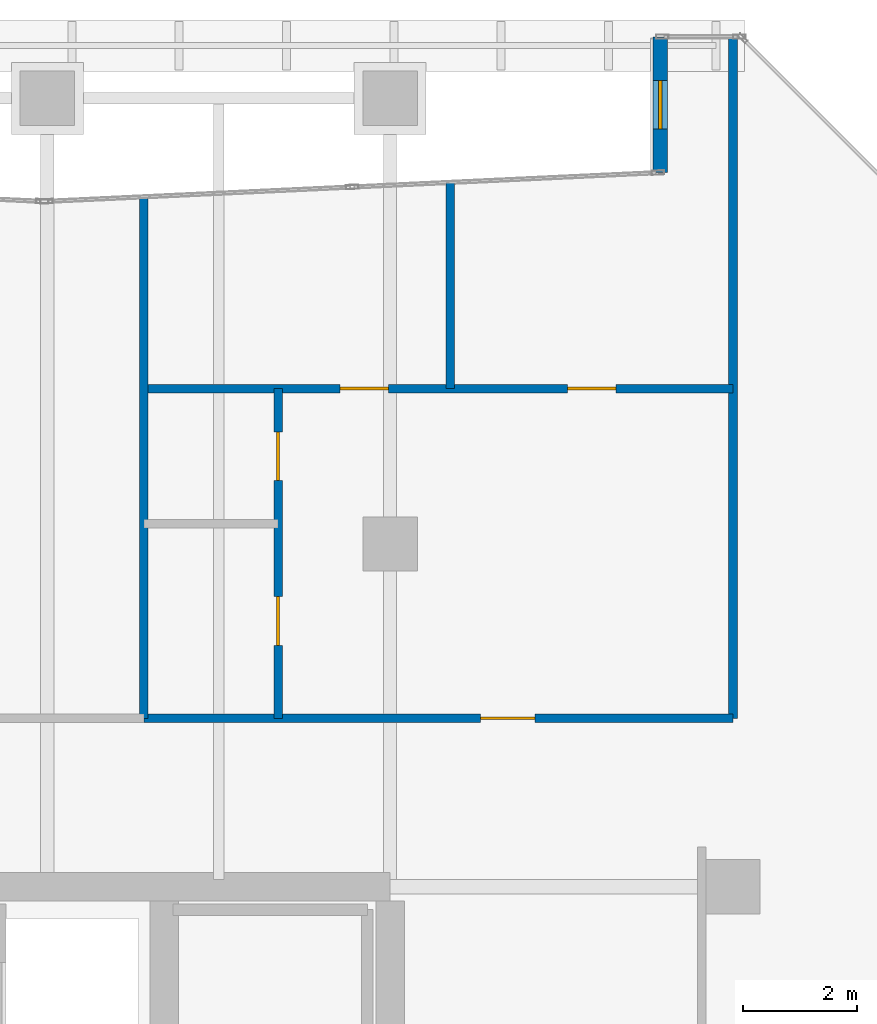
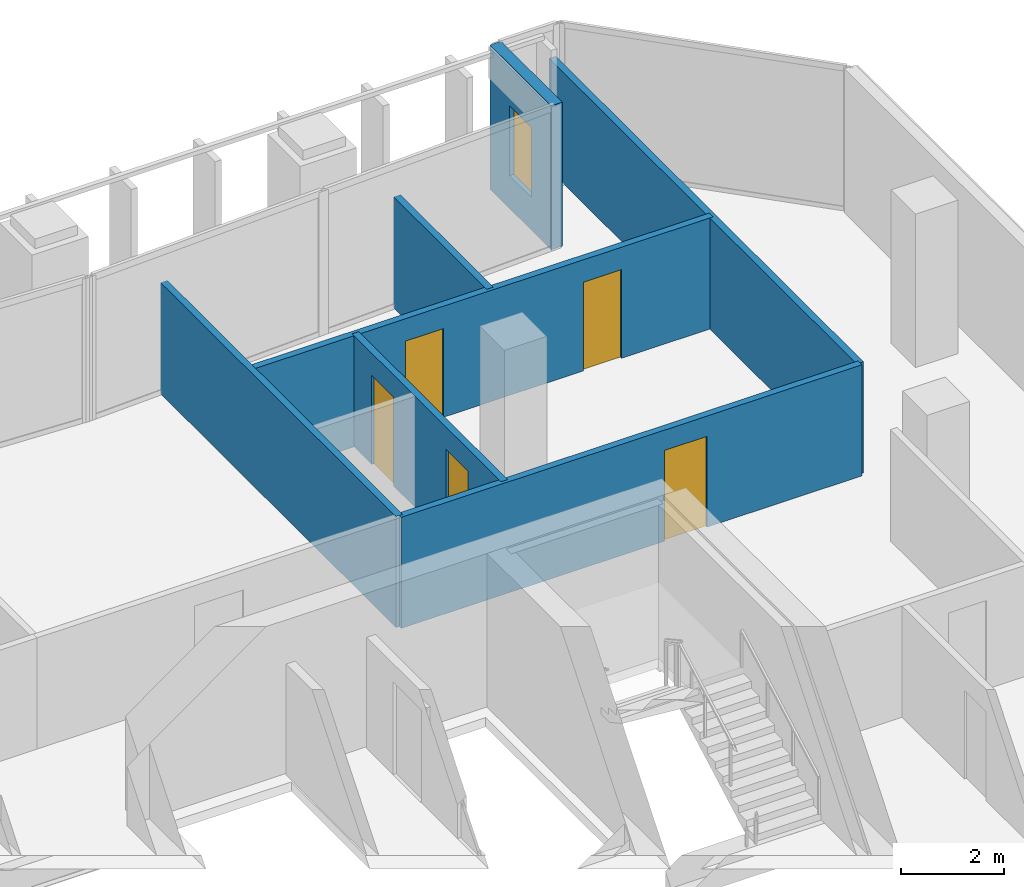
# One storey, part 32 of 39: 7 walls, 5 doors, 1 window, 6 openings.
"""IFC4 building model written with IfcOpenShell, lengths in metres."""

from ifc_helpers import new_model, si_unit, direction, frame, frame_2d, origin, place, context, subcontext, project, spatial, rectangle, extrude, material, layer, layer_set, type_object, element, fill, save


model = new_model("IFC4")

# Units and contexts
model_context = context("Model", 3, precision=1e-05, world=origin(), true_north=direction((0.0, 1.0)))
body_context = subcontext(model_context, "Body", "Model", "MODEL_VIEW")
ifc_project = project(units=[si_unit("LENGTHUNIT", "METRE"), si_unit("AREAUNIT", "SQUARE_METRE"), si_unit("VOLUMEUNIT", "CUBIC_METRE"), si_unit("PLANEANGLEUNIT", "RADIAN"), si_unit("MASSUNIT", "GRAM", prefix="KILO")], contexts=[model_context])

# Site, building, storey
site_placement = place(None, origin())
site = spatial("IfcSite", under=ifc_project, at=site_placement, CompositionType="ELEMENT")
building_placement = place(site_placement, origin())
building = spatial("IfcBuilding", under=site, at=building_placement, Name="Tanjung Sevakor Pilgrim Tower", CompositionType="ELEMENT")
storey_placement = place(building_placement, frame((0.0, 0.0, 112.199951171875)))
storey = spatial("IfcBuildingStorey", under=building, at=storey_placement, Name="L31", CompositionType="ELEMENT", Elevation=112.199951171875)

# Walls
ifc_material_1 = material(Name="Concrete C40/50", Category="concrete")
ifc_layer_1 = layer(ifc_material_1, 0.14990234375)
ifc_layer_set_1 = layer_set([ifc_layer_1], Name="WT-COMP-150")
wall_type_1 = type_object("IfcWallType", Name="WT-COMP-150", PredefinedType="SOLIDWALL", material=ifc_layer_set_1)
wall_1_placement = place(storey_placement, frame((96.0, 45.550048828125, 0.0), z_axis=(0.0, 0.0, 1.0), x_axis=(0.0, 1.0, 0.0)))
element("IfcWall", 1, at=wall_1_placement, inside=storey, type_object=wall_type_1, Name="L31 Partition IW-L31-093", PredefinedType="SOLIDWALL", context=body_context, shape_type="SweptSolid", body=[
    extrude(rectangle(XDim=11.925048828125, YDim=0.14990234375, at=frame_2d((5.96240234375, 0.0))), origin(), (0.0, 0.0, 1.0), 2.6298828125),
])
wall_2_placement = place(storey_placement, frame((85.689453125, 45.550048828125, 0.0), z_axis=(0.0, 0.0, 1.0), x_axis=(0.0, 1.0, 0.0)))
element("IfcWall", 2, at=wall_2_placement, inside=storey, type_object=wall_type_1, Name="L31 Partition IW-L31-107", PredefinedType="SOLIDWALL", context=body_context, shape_type="SweptSolid", body=[
    extrude(rectangle(XDim=9.12646484375, YDim=0.14990234375, at=frame_2d((4.563232421875, 0.0))), origin(), (0.0, 0.0, 1.0), 2.6298828125),
])

# Wall, opening, door
wall_3_placement = place(storey_placement, frame((85.689453125, 45.550048828125, 0.0), z_axis=(0.0, 0.0, 1.0), x_axis=(1.0, 0.0, 0.0)))
wall_3 = element("IfcWall", 3, at=wall_3_placement, inside=storey, type_object=wall_type_1, Name="L31 Partition IW-L31-113", PredefinedType="SOLIDWALL", context=body_context, shape_type="SweptSolid", body=[
    extrude(rectangle(XDim=10.310546875, YDim=0.14990234375, at=frame_2d((5.1552734375, 0.0))), origin(), (0.0, 0.0, 1.0), 2.6298828125),
])
opening_1_placement = place(wall_3_placement, frame((5.895263671875, 0.0, 0.0)))
opening_1 = element("IfcOpeningElement", 4, at=opening_1_placement, cuts=wall_3, Name="Opening ID-FD2", PredefinedType="OPENING", context=body_context, shape_type="SweptSolid", body=[
    extrude(rectangle(XDim=0.949951171875, YDim=2.14990234375, at=frame_2d((0.47509765625, 1.074951171875))), frame((0.0, 0.0849609375, 0.0), z_axis=(0.0, -1.0, 0.0), x_axis=(1.0, 0.0, 0.0)), (0.0, 0.0, 1.0), 0.169921875),
])
ifc_material_2 = material(Name="Fire-Rated Timber", Category="wood")
door_type_1 = type_object("IfcDoorType", Name="DT-FIRE-950", OperationType="NOTDEFINED", PredefinedType="DOOR", material=ifc_material_2)
door_1_placement = place(opening_1_placement, origin())
door_1 = element("IfcDoor", 5, at=door_1_placement, inside=storey, type_object=door_type_1, Name="Suite Entrance", OperationType="SINGLE_SWING_LEFT", OverallHeight=2.14990234375, OverallWidth=0.949951171875, PredefinedType="DOOR", context=body_context, shape_type="SweptSolid", body=[
    extrude(rectangle(XDim=0.949951171875, YDim=2.14990234375, at=frame_2d((0.47509765625, 1.074951171875))), frame((0.0, 0.02490234375, 0.0), z_axis=(0.0, -1.0, 0.0), x_axis=(1.0, 0.0, 0.0)), (0.0, 0.0, 1.0), 0.050048828125),
])
fill(opening_1, door_1)

# Wall, opening, window
ifc_material_3 = material(Name="Precast concrete C45/55", Category="concrete")
ifc_layer_2 = layer(ifc_material_3, 0.25)
ifc_layer_set_2 = layer_set([ifc_layer_2], Name="WT-EW-STN3")
wall_type_2 = type_object("IfcWallType", Name="WT-EW-STN3", PredefinedType="SOLIDWALL", material=ifc_layer_set_2)
wall_4_placement = place(storey_placement, frame((94.72509765625, 57.47509765625, 0.0), z_axis=(0.0, 0.0, 1.0), x_axis=(0.0, -1.0, 0.0)))
wall_4 = element("IfcWall", 6, at=wall_4_placement, inside=storey, type_object=wall_type_2, Name="L31 MAIN Exterior Wall 20", PredefinedType="SOLIDWALL", context=body_context, shape_type="SweptSolid", body=[
    extrude(rectangle(XDim=2.37451171875, YDim=0.25, at=frame_2d((1.187255859375, 0.0))), origin(), (0.0, 0.0, 1.0), 3.409912109375),
])
opening_2_placement = place(wall_4_placement, frame((0.76220703125, 0.0, 0.780029296875)))
opening_2 = element("IfcOpeningElement", 7, at=opening_2_placement, cuts=wall_4, Name="Opening WN-SLM", PredefinedType="OPENING", context=body_context, shape_type="SweptSolid", body=[
    extrude(rectangle(XDim=0.85009765625, YDim=1.64990234375, at=frame_2d((0.425048828125, 0.824951171875))), frame((0.0, 0.135009765625, 0.0), z_axis=(0.0, -1.0, 0.0), x_axis=(1.0, 0.0, 0.0)), (0.0, 0.0, 1.0), 0.27001953125),
])
ifc_material_4 = material(Name="Thermally Broken Aluminium and Low-E Glass", Category="aluminium")
window_type = type_object("IfcWindowType", Name="WTYP-WN-SLM", PartitioningType="SINGLE_PANEL", PredefinedType="WINDOW", material=ifc_material_4)
window_placement = place(opening_2_placement, origin())
window = element("IfcWindow", 8, at=window_placement, inside=storey, type_object=window_type, Name="L31 Facade Window 01", OverallHeight=1.64990234375, OverallWidth=0.85009765625, PartitioningType="SINGLE_PANEL", PredefinedType="WINDOW", context=body_context, shape_type="SweptSolid", body=[
    extrude(rectangle(XDim=0.85009765625, YDim=1.64990234375, at=frame_2d((0.425048828125, 0.824951171875))), frame((0.0, 0.030029296875, 0.0), z_axis=(0.0, -1.0, 0.0), x_axis=(1.0, 0.0, 0.0)), (0.0, 0.0, 1.0), 0.06005859375),
])
fill(opening_2, window)

# Wall, openings, doors
ifc_material_5 = material(Name="Gypsum Board Partition", Category="gypsum board")
ifc_layer_3 = layer(ifc_material_5, 0.14990234375)
ifc_layer_set_3 = layer_set([ifc_layer_3], Name="WT-PART-150")
wall_type_3 = type_object("IfcWallType", Name="WT-PART-150", PredefinedType="PARTITIONING", material=ifc_layer_set_3)
wall_5_placement = place(storey_placement, frame((88.03955078125, 45.550048828125, 0.0), z_axis=(0.0, 0.0, 1.0), x_axis=(0.0, 1.0, 0.0)))
wall_5 = element("IfcWall", 9, at=wall_5_placement, inside=storey, type_object=wall_type_3, Name="L31 Partition IW-L31-110", PredefinedType="PARTITIONING", context=body_context, shape_type="SweptSolid", body=[
    extrude(rectangle(XDim=5.77001953125, YDim=0.14990234375, at=frame_2d((2.885009765625, 0.0))), origin(), (0.0, 0.0, 1.0), 2.6298828125),
])
opening_3_placement = place(wall_5_placement, frame((1.277099609375, 0.0, 0.0)))
opening_3 = element("IfcOpeningElement", 10, at=opening_3_placement, cuts=wall_5, Name="Opening ID-WC1", PredefinedType="OPENING", context=body_context, shape_type="SweptSolid", body=[
    extrude(rectangle(XDim=0.85009765625, YDim=2.10009765625, at=frame_2d((0.425048828125, 1.050048828125))), frame((0.0, 0.0849609375, 0.0), z_axis=(0.0, -1.0, 0.0), x_axis=(1.0, 0.0, 0.0)), (0.0, 0.0, 1.0), 0.169921875),
])
opening_4_placement = place(wall_5_placement, frame((4.162109375, 0.0, 0.0)))
opening_4 = element("IfcOpeningElement", 11, at=opening_4_placement, cuts=wall_5, Name="Opening ID-WC1", PredefinedType="OPENING", context=body_context, shape_type="SweptSolid", body=[
    extrude(rectangle(XDim=0.85009765625, YDim=2.10009765625, at=frame_2d((0.425048828125, 1.050048828125))), frame((0.0, 0.0849609375, 0.0), z_axis=(0.0, -1.0, 0.0), x_axis=(1.0, 0.0, 0.0)), (0.0, 0.0, 1.0), 0.169921875),
])
ifc_material_6 = material(Name="Moisture-Resistant Timber", Category="wood")
door_type_2 = type_object("IfcDoorType", Name="DT-INT-850", OperationType="NOTDEFINED", PredefinedType="DOOR", material=ifc_material_6)
door_2_placement = place(opening_3_placement, origin())
door_2 = element("IfcDoor", 12, at=door_2_placement, inside=storey, type_object=door_type_2, Name="Suite Kitchenette Door", OperationType="SINGLE_SWING_LEFT", OverallHeight=2.10009765625, OverallWidth=0.85009765625, PredefinedType="DOOR", context=body_context, shape_type="SweptSolid", body=[
    extrude(rectangle(XDim=0.85009765625, YDim=2.10009765625, at=frame_2d((0.425048828125, 1.050048828125))), frame((0.0, 0.02490234375, 0.0), z_axis=(0.0, -1.0, 0.0), x_axis=(1.0, 0.0, 0.0)), (0.0, 0.0, 1.0), 0.050048828125),
])
fill(opening_3, door_2)
door_3_placement = place(opening_4_placement, origin())
door_3 = element("IfcDoor", 13, at=door_3_placement, inside=storey, type_object=door_type_2, Name="Suite Bathroom Door", OperationType="SINGLE_SWING_RIGHT", OverallHeight=2.10009765625, OverallWidth=0.85009765625, PredefinedType="DOOR", context=body_context, shape_type="SweptSolid", body=[
    extrude(rectangle(XDim=0.85009765625, YDim=2.10009765625, at=frame_2d((0.425048828125, 1.050048828125))), frame((0.0, 0.02490234375, 0.0), z_axis=(0.0, -1.0, 0.0), x_axis=(1.0, 0.0, 0.0)), (0.0, 0.0, 1.0), 0.050048828125),
])
fill(opening_4, door_3)

# Wall
wall_6_placement = place(storey_placement, frame((91.051025390625, 51.320068359375, 0.0), z_axis=(0.0, 0.0, 1.0), x_axis=(0.0, 1.0, 0.0)))
element("IfcWall", 14, at=wall_6_placement, inside=storey, type_object=wall_type_3, Name="L31 Partition IW-L31-111", PredefinedType="PARTITIONING", context=body_context, shape_type="SweptSolid", body=[
    extrude(rectangle(XDim=3.608154296875, YDim=0.14990234375, at=frame_2d((1.80419921875, 0.0))), origin(), (0.0, 0.0, 1.0), 2.6298828125),
])

# Wall, openings, doors
wall_7_placement = place(storey_placement, frame((85.689453125, 51.320068359375, 0.0), z_axis=(0.0, 0.0, 1.0), x_axis=(1.0, 0.0, 0.0)))
wall_7 = element("IfcWall", 15, at=wall_7_placement, inside=storey, type_object=wall_type_3, Name="L31 Partition IW-L31-112", PredefinedType="PARTITIONING", context=body_context, shape_type="SweptSolid", body=[
    extrude(rectangle(XDim=10.310546875, YDim=0.14990234375, at=frame_2d((5.1552734375, 0.0))), origin(), (0.0, 0.0, 1.0), 2.6298828125),
])
opening_5_placement = place(wall_7_placement, frame((3.430908203125, 0.0, 0.0)))
opening_5 = element("IfcOpeningElement", 16, at=opening_5_placement, cuts=wall_7, Name="Opening ID-WC1", PredefinedType="OPENING", context=body_context, shape_type="SweptSolid", body=[
    extrude(rectangle(XDim=0.85009765625, YDim=2.10009765625, at=frame_2d((0.425048828125, 1.050048828125))), frame((0.0, 0.0849609375, 0.0), z_axis=(0.0, -1.0, 0.0), x_axis=(1.0, 0.0, 0.0)), (0.0, 0.0, 1.0), 0.169921875),
])
opening_6_placement = place(wall_7_placement, frame((7.410888671875, 0.0, 0.0)))
opening_6 = element("IfcOpeningElement", 17, at=opening_6_placement, cuts=wall_7, Name="Opening ID-WC1", PredefinedType="OPENING", context=body_context, shape_type="SweptSolid", body=[
    extrude(rectangle(XDim=0.85009765625, YDim=2.10009765625, at=frame_2d((0.425048828125, 1.050048828125))), frame((0.0, 0.0849609375, 0.0), z_axis=(0.0, -1.0, 0.0), x_axis=(1.0, 0.0, 0.0)), (0.0, 0.0, 1.0), 0.169921875),
])
door_4_placement = place(opening_5_placement, origin())
door_4 = element("IfcDoor", 18, at=door_4_placement, inside=storey, type_object=door_type_2, Name="Suite Bedroom 1 Door", OperationType="SINGLE_SWING_LEFT", OverallHeight=2.10009765625, OverallWidth=0.85009765625, PredefinedType="DOOR", context=body_context, shape_type="SweptSolid", body=[
    extrude(rectangle(XDim=0.85009765625, YDim=2.10009765625, at=frame_2d((0.425048828125, 1.050048828125))), frame((0.0, 0.02490234375, 0.0), z_axis=(0.0, -1.0, 0.0), x_axis=(1.0, 0.0, 0.0)), (0.0, 0.0, 1.0), 0.050048828125),
])
fill(opening_5, door_4)
door_5_placement = place(opening_6_placement, origin())
door_5 = element("IfcDoor", 19, at=door_5_placement, inside=storey, type_object=door_type_2, Name="Suite Bedroom 2 Door", OperationType="SINGLE_SWING_RIGHT", OverallHeight=2.10009765625, OverallWidth=0.85009765625, PredefinedType="DOOR", context=body_context, shape_type="SweptSolid", body=[
    extrude(rectangle(XDim=0.85009765625, YDim=2.10009765625, at=frame_2d((0.425048828125, 1.050048828125))), frame((0.0, 0.02490234375, 0.0), z_axis=(0.0, -1.0, 0.0), x_axis=(1.0, 0.0, 0.0)), (0.0, 0.0, 1.0), 0.050048828125),
])
fill(opening_6, door_5)

save(model, "model.ifc")
